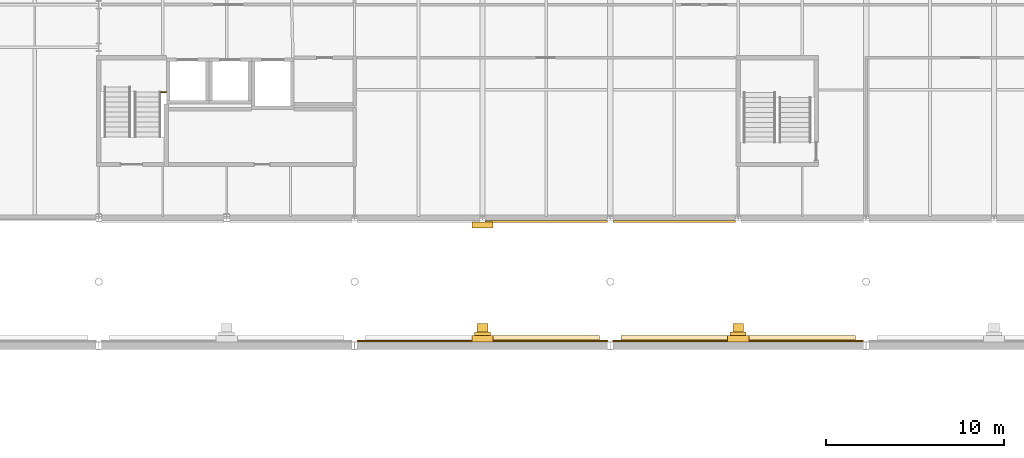
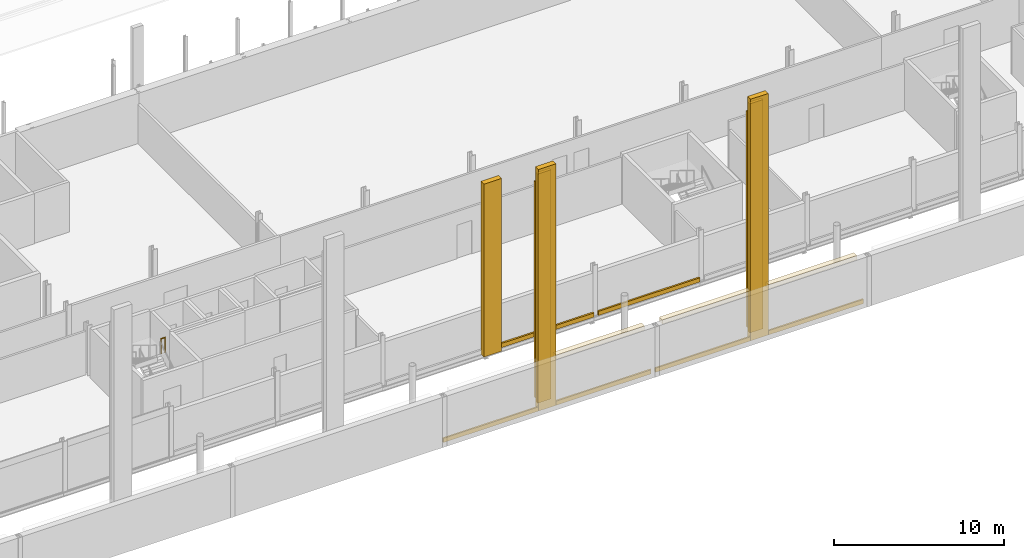
# One storey, part 85 of 90: 14 coverings, 1 railing.
"""IFC4 building model written with IfcOpenShell, lengths in metres."""

from ifc_helpers import new_model, si_unit, direction, frame, origin, origin_2d, place, context, subcontext, project, spatial, rectangle, circle, extrude, material, layer, layer_set, type_object, element, save


model = new_model("IFC4")

# Units and contexts
model_context = context("Model", 3, precision=1e-05, world=origin(), true_north=direction((0.0, 1.0)))
body_context = subcontext(model_context, "Body", "Model", "MODEL_VIEW")
ifc_project = project(units=[si_unit("LENGTHUNIT", "METRE"), si_unit("AREAUNIT", "SQUARE_METRE"), si_unit("VOLUMEUNIT", "CUBIC_METRE"), si_unit("PLANEANGLEUNIT", "RADIAN"), si_unit("MASSUNIT", "GRAM", prefix="KILO")], contexts=[model_context])

# Site, building, storey
site_placement = place(None, origin())
site = spatial("IfcSite", under=ifc_project, at=site_placement, CompositionType="ELEMENT")
building_placement = place(site_placement, origin())
building = spatial("IfcBuilding", under=site, at=building_placement, Name="Kupolbacken Congress Centre", CompositionType="ELEMENT")
storey_placement = place(building_placement, frame((0.0, 0.0, 3.60009765625)))
storey = spatial("IfcBuildingStorey", under=building, at=storey_placement, Name="L01", CompositionType="ELEMENT", Elevation=3.60009765625)

# Coverings
ifc_material_1 = material(Name="Limestone cladding", Category="masonry")
ifc_layer_1 = layer(ifc_material_1, 0.1201171875)
ifc_layer_set_1 = layer_set([ifc_layer_1], Name="Limestone cladding")
covering_type_1 = type_object("IfcCoveringType", Name="CV1 limestone cladding band 120", PredefinedType="CLADDING", material=ifc_layer_set_1)
for number, where, z_axis, x_axis, name in (
    (1, (162.0, 122.18994140625, 0.0), (0.0, 0.0, 1.0), (1.0, 0.0, 0.0), "E/B/S/L01/118/band"),
    (2, (169.199951171875, 122.18994140625, 0.0), (0.0, 0.0, 1.0), (1.0, 0.0, 0.0), "E/B/S/L01/119/band"),
):
    element("IfcCovering", number, at=place(storey_placement, frame(where, z_axis=z_axis, x_axis=x_axis)), inside=storey, type_object=covering_type_1, Name=name, PredefinedType="CLADDING", context=body_context, shape_type="SweptSolid", body=[
        extrude(rectangle(XDim=6.89990234375, YDim=0.1201171875, at=origin_2d()), origin(), (0.0, 0.0, 1.0), 0.300048828125),
    ])
ifc_material_2 = material(Name="Brick cladding", Category="masonry")
ifc_layer_2 = layer(ifc_material_2, 0.10791015625)
ifc_layer_set_2 = layer_set([ifc_layer_2], Name="Brick cladding")
covering_type_2 = type_object("IfcCoveringType", Name="CV2 brick cladding band 108", PredefinedType="CLADDING", material=ifc_layer_set_2)
for number, where, z_axis, x_axis, name in (
    (3, (172.800048828125, 115.464111328125, 0.0), (0.0, 0.0, 1.0), (-1.0, 0.0, 0.0), "E/H/N/L01/164/band"),
    (4, (158.39990234375, 115.464111328125, 0.0), (0.0, 0.0, 1.0), (-1.0, 0.0, 0.0), "E/H/N/L01/165/band"),
):
    element("IfcCovering", number, at=place(storey_placement, frame(where, z_axis=z_axis, x_axis=x_axis)), inside=storey, type_object=covering_type_2, Name=name, PredefinedType="CLADDING", context=body_context, shape_type="SweptSolid", body=[
        extrude(rectangle(XDim=14.10009765625, YDim=0.10791015625, at=origin_2d()), origin(), (0.0, 0.0, 1.0), 0.300048828125),
    ])
ifc_material_3 = material(Name="Limestone cladding", Category="masonry")
ifc_layer_3 = layer(ifc_material_3, 0.35009765625)
ifc_layer_set_3 = layer_set([ifc_layer_3], Name="Limestone cladding")
covering_type_3 = type_object("IfcCoveringType", Name="CV3 limestone pilaster strip 350", PredefinedType="CLADDING", material=ifc_layer_set_3)
for number, where, z_axis, x_axis, name in (
    (5, (158.39990234375, 115.5849609375, 0.0), (0.0, 0.0, 1.0), (1.0, 0.0, 0.0), "F/H/N/pil/10/0"),
    (6, (172.800048828125, 115.5849609375, 0.0), (0.0, 0.0, 1.0), (1.0, 0.0, 0.0), "F/H/N/pil/12/0"),
):
    element("IfcCovering", number, at=place(storey_placement, frame(where, z_axis=z_axis, x_axis=x_axis)), inside=storey, type_object=covering_type_3, Name=name, PredefinedType="CLADDING", context=body_context, shape_type="SweptSolid", body=[
        extrude(rectangle(XDim=1.199951171875, YDim=0.35009765625, at=origin_2d()), origin(), (0.0, 0.0, 1.0), 17.3349609375),
    ])
covering_placement = place(storey_placement, frame((158.39990234375, 121.985107421875, 0.0), z_axis=(0.0, 0.0, 1.0), x_axis=(1.0, 0.0, 0.0)))
element("IfcCovering", 7, at=covering_placement, inside=storey, type_object=covering_type_3, Name="F/B/S/pil/03/0", PredefinedType="CLADDING", context=body_context, shape_type="SweptSolid", body=[
    extrude(rectangle(XDim=1.199951171875, YDim=0.35009765625, at=origin_2d()), origin(), (0.0, 0.0, 1.0), 12.39990234375),
])
for number, where, z_axis, x_axis, name in (
    (8, (162.0, 115.5849609375, 3.2998046875), (0.0, 0.0, 1.0), (1.0, 0.0, 0.0), "F/HR/H/N/string/7.2/10/0"),
    (9, (169.199951171875, 115.5849609375, 3.2998046875), (0.0, 0.0, 1.0), (1.0, 0.0, 0.0), "F/HR/H/N/string/7.2/11/0"),
    (10, (176.39990234375, 115.5849609375, 3.2998046875), (0.0, 0.0, 1.0), (1.0, 0.0, 0.0), "F/HR/H/N/string/7.2/12/0"),
):
    element("IfcCovering", number, at=place(storey_placement, frame(where, z_axis=z_axis, x_axis=x_axis)), inside=storey, type_object=covering_type_3, Name=name, PredefinedType="CLADDING", context=body_context, shape_type="SweptSolid", body=[
        extrude(rectangle(XDim=6.0, YDim=0.35009765625, at=origin_2d()), origin(), (0.0, 0.0, 1.0), 0.300048828125),
    ])
ifc_material_4 = material(Name="Limestone cladding", Category="masonry")
ifc_layer_4 = layer(ifc_material_4, 0.5)
ifc_layer_set_4 = layer_set([ifc_layer_4], Name="Limestone cladding")
covering_type_4 = type_object("IfcCoveringType", Name="CV8 limestone drum pier 500", PredefinedType="CLADDING", material=ifc_layer_set_4)
for number, where, z_axis, x_axis, name in (
    (11, (158.39990234375, 116.2099609375, 0.2998046875), (0.0, 0.0, 1.0), (1.0, 0.0, 0.0), "F/HR/H/N/butt/10-0/0"),
    (12, (172.800048828125, 116.2099609375, 0.2998046875), (0.0, 0.0, 1.0), (1.0, 0.0, 0.0), "F/HR/H/N/butt/12-0/0"),
):
    element("IfcCovering", number, at=place(storey_placement, frame(where, z_axis=z_axis, x_axis=x_axis)), inside=storey, type_object=covering_type_4, Name=name, PredefinedType="CLADDING", context=body_context, shape_type="SweptSolid", body=[
        extrude(rectangle(XDim=0.60009765625, YDim=0.5, at=origin_2d()), origin(), (0.0, 0.0, 1.0), 15.485107421875),
    ])
ifc_material_5 = material(Name="Limestone cladding", Category="masonry")
ifc_layer_5 = layer(ifc_material_5, 0.199951171875)
ifc_layer_set_5 = layer_set([ifc_layer_5], Name="Limestone cladding")
covering_type_5 = type_object("IfcCoveringType", Name="CV9 limestone drum arch frame 200", PredefinedType="CLADDING", material=ifc_layer_set_5)
for number, where, z_axis, x_axis, name in (
    (13, (158.39990234375, 115.860107421875, 0.2998046875), (0.0, 0.0, 1.0), (1.0, 0.0, 0.0), "F/HR/H/N/rib/10-0/0"),
    (14, (172.800048828125, 115.860107421875, 0.2998046875), (0.0, 0.0, 1.0), (1.0, 0.0, 0.0), "F/HR/H/N/rib/12-0/0"),
):
    element("IfcCovering", number, at=place(storey_placement, frame(where, z_axis=z_axis, x_axis=x_axis)), inside=storey, type_object=covering_type_5, Name=name, PredefinedType="CLADDING", context=body_context, shape_type="SweptSolid", body=[
        extrude(rectangle(XDim=0.89990234375, YDim=0.199951171875, at=origin_2d()), origin(), (0.0, 0.0, 1.0), 16.43505859375),
    ])

# Railing
ifc_material_6 = material(Name="Steel S235", Category="steel")
railing_type = type_object("IfcRailingType", Name="RL1 guard 1100 steel balustrade", PredefinedType="GUARDRAIL", material=ifc_material_6)
railing_placement = place(storey_placement, frame((140.300048828125, 129.47509765625, 1.714111328125)))
element("IfcRailing", 15, at=railing_placement, inside=storey, type_object=railing_type, Name="C/slotguard/BS1/L01/lo", PredefinedType="GUARDRAIL", context=body_context, shape_type="SweptSolid", body=[
    extrude(circle(Radius=0.02392578125, at=origin_2d()), frame((0.0, 0.0, 1.076171875), z_axis=(1.0, 0.0, 0.0), x_axis=(0.0, 1.0, 0.0)), (0.0, 0.0, 1.0), 0.300048828125),
    extrude(circle(Radius=0.02099609375, at=origin_2d()), origin(), (0.0, 0.0, 1.0), 1.052001953125),
    extrude(circle(Radius=0.02099609375, at=origin_2d()), frame((0.300048828125, 0.0, 0.0)), (0.0, 0.0, 1.0), 1.052001953125),
])

save(model, "model.ifc")
